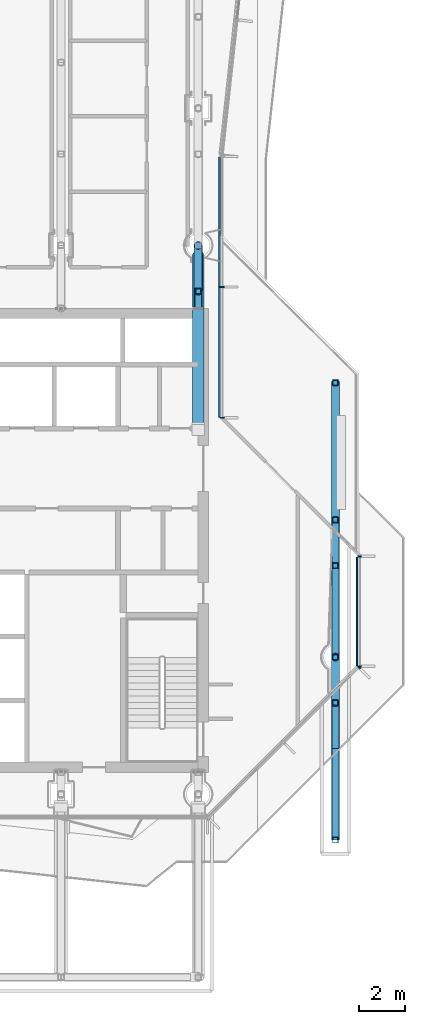
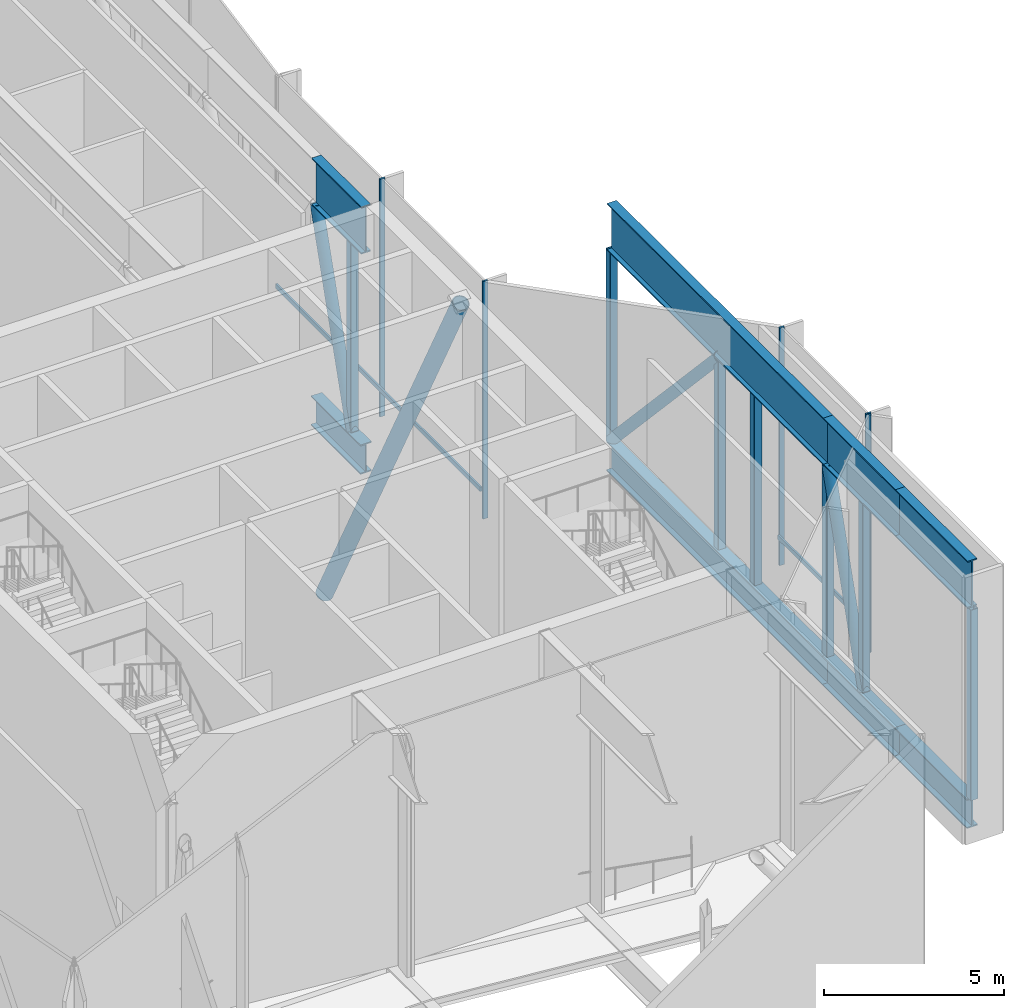
# One storey, part 4 of 21: 26 members, 3 elements without a shape of their own.
"""IFC4 building model written with IfcOpenShell, lengths in metres."""

from ifc_helpers import new_model, si_unit, direction, frame, origin, origin_2d, place, context, subcontext, project, spatial, rectangle, hollow_rectangle, hollow_circle, i_section, extrude, material, layer, layer_set, material_profile, profile_set, type_object, element, aggregate, save


model = new_model("IFC4")

# Units and contexts
model_context = context("Model", 3, precision=1e-05, world=origin(), true_north=direction((0.0, 1.0)))
body_context = subcontext(model_context, "Body", "Model", "MODEL_VIEW")
ifc_project = project(units=[si_unit("LENGTHUNIT", "METRE"), si_unit("AREAUNIT", "SQUARE_METRE"), si_unit("VOLUMEUNIT", "CUBIC_METRE"), si_unit("PLANEANGLEUNIT", "RADIAN"), si_unit("MASSUNIT", "GRAM", prefix="KILO")], contexts=[model_context])

# Site, building, storey
site_placement = place(None, origin())
site = spatial("IfcSite", under=ifc_project, at=site_placement, CompositionType="ELEMENT")
building_placement = place(site_placement, origin())
building = spatial("IfcBuilding", under=site, at=building_placement, Name="Welwitschia Terrace Campus", CompositionType="ELEMENT")
storey_placement = place(building_placement, frame((0.0, 0.0, 255.800048828125)))
storey = spatial("IfcBuildingStorey", under=building, at=storey_placement, Name="L57", CompositionType="ELEMENT", Elevation=255.800048828125)

# Member
ifc_material_1 = material(Name="Steel S355", Category="steel")
ifc_material_profile_1 = material_profile(ifc_material_1, hollow_circle(Radius=0.25390625, WallThickness=0.030029296875, at=origin_2d()))
ifc_profile_set_1 = profile_set([ifc_material_profile_1], Name="Steel S355")
member_type_1 = type_object("IfcMemberType", Name="Column brace C4 CHS 508x30", PredefinedType="BRACE", material=ifc_profile_set_1)
member_1_placement = place(storey_placement, frame((24.0, 27.550048828125, -6.47509765625), z_axis=(0.0, -0.464276245094, 0.885690447189), x_axis=(1.0, 0.0, 0.0)))
element("IfcMember", 1, at=member_1_placement, inside=storey, type_object=member_type_1, Name="Tip brace", PredefinedType="BRACE", context=body_context, shape_type="SweptSolid", body=[
    extrude(hollow_circle(Radius=0.25390625, WallThickness=0.030029296875, at=origin_2d()), origin(), (0.0, 0.0, 1.0), 16.261962890625),
])

# Curtain wall, member
ifc_material_2 = material(Name="Bronze anodised aluminium", Category="aluminium")
ifc_layer = layer(ifc_material_2, 0.159912109375)
ifc_layer_set = layer_set([ifc_layer], Name="Bronze anodised aluminium")
curtain_wall_type = type_object("IfcCurtainWallType", Name="Curtain wall CW3 commons 6000", PredefinedType="NOTDEFINED", material=ifc_layer_set)
curtain_wall_1_placement = place(storey_placement, origin())
curtain_wall_1 = element("IfcCurtainWall", 2, at=curtain_wall_1_placement, inside=storey, type_object=curtain_wall_type, Name="CW L57.0.0", PredefinedType="NOTDEFINED")
ifc_material_3 = material(Name="Bronze anodised aluminium", Category="aluminium")
ifc_material_profile_2 = material_profile(ifc_material_3, rectangle(XDim=0.159912109375, YDim=0.06005859375, at=origin_2d()))
ifc_profile_set_2 = profile_set([ifc_material_profile_2], Name="Bronze anodised aluminium")
member_type_2 = type_object("IfcMemberType", Name="Mullion 60x160", PredefinedType="MULLION", material=ifc_profile_set_2)
member_2_placement = place(storey_placement, frame((31.02880859375, 9.5439453125, 0.0), z_axis=(0.0, 0.0, 1.0), x_axis=(-0.707106781187, 0.707106781187, 0.0)))
member_2 = element("IfcMember", 3, at=member_2_placement, type_object=member_type_2, Name="Mullion L57.0.0.2", PredefinedType="MULLION", context=body_context, shape_type="SweptSolid", body=[
    extrude(rectangle(XDim=0.159912109375, YDim=0.06005859375, at=origin_2d()), origin(), (0.0, 0.0, 1.0), 8.050048828125),
])
aggregate(curtain_wall_1, [member_2])

# Curtain wall, members
curtain_wall_2_placement = place(storey_placement, origin())
curtain_wall_2 = element("IfcCurtainWall", 4, at=curtain_wall_2_placement, inside=storey, type_object=curtain_wall_type, Name="CW L57.1.0", PredefinedType="NOTDEFINED")
member_3_placement = place(storey_placement, frame((31.050048828125, 9.594970703125, 0.0), z_axis=(0.0, 0.0, 1.0), x_axis=(-1.0, 0.0, 0.0)))
member_3 = element("IfcMember", 5, at=member_3_placement, type_object=member_type_2, Name="Mullion L57.1.0.0", PredefinedType="MULLION", context=body_context, shape_type="SweptSolid", body=[
    extrude(rectangle(XDim=0.159912109375, YDim=0.06005859375, at=origin_2d()), origin(), (0.0, 0.0, 1.0), 8.050048828125),
])
member_4_placement = place(storey_placement, frame((31.050048828125, 14.405029296875, 0.0), z_axis=(0.0, 0.0, 1.0), x_axis=(-1.0, 0.0, 0.0)))
member_4 = element("IfcMember", 6, at=member_4_placement, type_object=member_type_2, Name="Mullion L57.1.0.1", PredefinedType="MULLION", context=body_context, shape_type="SweptSolid", body=[
    extrude(rectangle(XDim=0.159912109375, YDim=0.06005859375, at=origin_2d()), origin(), (0.0, 0.0, 1.0), 8.050048828125),
])

curtain_wall_3_placement = place(storey_placement, origin())
curtain_wall_3 = element("IfcCurtainWall", 7, at=curtain_wall_3_placement, inside=storey, type_object=curtain_wall_type, Name="CW L57.3.0", PredefinedType="NOTDEFINED")
member_5_placement = place(storey_placement, frame((25.050048828125, 20.46484375, 0.0), z_axis=(0.0, 0.0, 1.0), x_axis=(-1.0, 0.0, 0.0)))
member_5 = element("IfcMember", 8, at=member_5_placement, type_object=member_type_2, Name="Mullion L57.3.0.0", PredefinedType="MULLION", context=body_context, shape_type="SweptSolid", body=[
    extrude(rectangle(XDim=0.159912109375, YDim=0.06005859375, at=origin_2d()), origin(), (0.0, 0.0, 1.0), 8.050048828125),
])
member_6_placement = place(storey_placement, frame((25.050048828125, 26.177978515625, 0.0), z_axis=(0.0, 0.0, 1.0), x_axis=(-1.0, 0.0, 0.0)))
member_6 = element("IfcMember", 9, at=member_6_placement, type_object=member_type_2, Name="Mullion L57.3.0.1", PredefinedType="MULLION", context=body_context, shape_type="SweptSolid", body=[
    extrude(rectangle(XDim=0.159912109375, YDim=0.06005859375, at=origin_2d()), origin(), (0.0, 0.0, 1.0), 8.050048828125),
])

# Members
ifc_material_4 = material(Name="Steel S355", Category="steel")
ifc_material_profile_3 = material_profile(ifc_material_4, i_section(OverallWidth=0.35009765625, OverallDepth=1.0, WebThickness=0.034912109375, FlangeThickness=0.0400390625, at=origin_2d()))
ifc_profile_set_3 = profile_set([ifc_material_profile_3], Name="Steel S355")
member_type_3 = type_object("IfcMemberType", Name="Transfer truss C4 bottom cantilever chord WI 1000x350x35x40", PredefinedType="CHORD", material=ifc_profile_set_3)
for number, where, z_axis, x_axis, name in (
    (10, (30.0, 2.0, -0.5), (0.0, 1.0, 0.0), (-1.0, 0.0, 0.0), "Truss bottom chord"),
    (11, (30.0, 6.0, -0.5), (0.0, 1.0, 0.0), (-1.0, 0.0, 0.0), "Truss bottom chord"),
):
    element("IfcMember", number, at=place(storey_placement, frame(where, z_axis=z_axis, x_axis=x_axis)), inside=storey, type_object=member_type_3, Name=name, PredefinedType="CHORD", context=body_context, shape_type="SweptSolid", body=[
        extrude(i_section(OverallWidth=0.35009765625, OverallDepth=1.0, WebThickness=0.034912109375, FlangeThickness=0.0400390625, at=origin_2d()), origin(), (0.0, 0.0, 1.0), 4.0),
    ])
ifc_material_5 = material(Name="Steel S355", Category="steel")
ifc_material_profile_4 = material_profile(ifc_material_5, i_section(OverallWidth=0.35009765625, OverallDepth=1.0, WebThickness=0.02490234375, FlangeThickness=0.0400390625, at=origin_2d()))
ifc_profile_set_4 = profile_set([ifc_material_profile_4], Name="Steel S355")
member_type_4 = type_object("IfcMemberType", Name="Transfer truss C4 bottom chord WI 1000x350x25x40", PredefinedType="CHORD", material=ifc_profile_set_4)
member_7_placement = place(storey_placement, frame((24.0, 25.25, -0.5), z_axis=(0.0, 1.0, 0.0), x_axis=(-1.0, 0.0, 0.0)))
element("IfcMember", 12, at=member_7_placement, inside=storey, type_object=member_type_4, Name="Truss bottom chord", PredefinedType="CHORD", context=body_context, shape_type="SweptSolid", body=[
    extrude(i_section(OverallWidth=0.35009765625, OverallDepth=1.0, WebThickness=0.02490234375, FlangeThickness=0.0400390625, at=origin_2d()), origin(), (0.0, 0.0, 1.0), 2.75),
])
member_8_placement = place(storey_placement, frame((30.0, 10.0, -0.5), z_axis=(0.0, 1.0, 0.0), x_axis=(-1.0, 0.0, 0.0)))
element("IfcMember", 13, at=member_8_placement, inside=storey, type_object=member_type_4, Name="Truss bottom chord", PredefinedType="CHORD", context=body_context, shape_type="SweptSolid", body=[
    extrude(i_section(OverallWidth=0.35009765625, OverallDepth=1.0, WebThickness=0.02490234375, FlangeThickness=0.0400390625, at=origin_2d()), origin(), (0.0, 0.0, 1.0), 12.0),
])
ifc_material_6 = material(Name="Steel S355", Category="steel")
ifc_material_profile_5 = material_profile(ifc_material_6, hollow_circle(Radius=0.177734375, WallThickness=0.01611328125, at=origin_2d()))
ifc_profile_set_5 = profile_set([ifc_material_profile_5], Name="Steel S355")
member_type_5 = type_object("IfcMemberType", Name="Transfer truss C4 diagonal CHS 355.6x16", PredefinedType="BRACE", material=ifc_profile_set_5)
for number, where, z_axis, x_axis, name in (
    (14, (24.0, 26.0, 0.0), (0.0, 0.296168365803, 0.955135749042), (-1.0, 0.0, 0.0), "Truss diagonal"),
    (15, (30.0, 8.0, 0.0), (0.0, 0.296168365803, 0.955135749042), (-1.0, 0.0, 0.0), "Truss diagonal"),
):
    element("IfcMember", number, at=place(storey_placement, frame(where, z_axis=z_axis, x_axis=x_axis)), inside=storey, type_object=member_type_5, Name=name, PredefinedType="BRACE", context=body_context, shape_type="SweptSolid", body=[
        extrude(hollow_circle(Radius=0.177734375, WallThickness=0.01611328125, at=origin_2d()), origin(), (0.0, 0.0, 1.0), 6.7529296875),
    ])
member_9_placement = place(storey_placement, frame((30.0, 22.0, 0.0), z_axis=(0.0, -0.681106706671, 0.732184166811), x_axis=(1.0, 0.0, 0.0)))
element("IfcMember", 16, at=member_9_placement, inside=storey, type_object=member_type_5, Name="Truss diagonal", PredefinedType="BRACE", context=body_context, shape_type="SweptSolid", body=[
    extrude(hollow_circle(Radius=0.177734375, WallThickness=0.01611328125, at=origin_2d()), origin(), (0.0, 0.0, 1.0), 8.80908203125),
])
ifc_material_7 = material(Name="Steel S355", Category="steel")
ifc_material_profile_6 = material_profile(ifc_material_7, hollow_rectangle(XDim=0.25, YDim=0.25, WallThickness=0.013916015625, InnerFilletRadius=0.013916015625, OuterFilletRadius=0.02099609375, at=origin_2d()))
ifc_profile_set_6 = profile_set([ifc_material_profile_6], Name="Steel S355")
member_type_6 = type_object("IfcMemberType", Name="Transfer truss C4 post SHS 250x250x14", PredefinedType="POST", material=ifc_profile_set_6)
for number, where, z_axis, x_axis, name in (
    (17, (24.0, 26.0, 0.0), (0.0, 0.0, 1.0), (1.0, 0.0, 0.0), "Truss post"),
    (18, (30.0, 2.0, 0.0), (0.0, 0.0, 1.0), (1.0, 0.0, 0.0), "Truss post"),
    (19, (30.0, 8.0, 0.0), (0.0, 0.0, 1.0), (1.0, 0.0, 0.0), "Truss post"),
    (20, (30.0, 10.0, 0.0), (0.0, 0.0, 1.0), (1.0, 0.0, 0.0), "Truss post"),
    (21, (30.0, 14.0, 0.0), (0.0, 0.0, 1.0), (1.0, 0.0, 0.0), "Truss post"),
    (22, (30.0, 16.0, 0.0), (0.0, 0.0, 1.0), (1.0, 0.0, 0.0), "Truss post"),
    (23, (30.0, 22.0, 0.0), (0.0, 0.0, 1.0), (1.0, 0.0, 0.0), "Truss post"),
):
    element("IfcMember", number, at=place(storey_placement, frame(where, z_axis=z_axis, x_axis=x_axis)), inside=storey, type_object=member_type_6, Name=name, PredefinedType="POST", context=body_context, shape_type="SweptSolid", body=[
        extrude(hollow_rectangle(XDim=0.25, YDim=0.25, WallThickness=0.013916015625, InnerFilletRadius=0.013916015625, OuterFilletRadius=0.02099609375, at=origin_2d()), origin(), (0.0, 0.0, 1.0), 6.449951171875),
    ])
ifc_material_8 = material(Name="Steel S355", Category="steel")
ifc_material_profile_7 = material_profile(ifc_material_8, i_section(OverallWidth=0.300048828125, OverallDepth=1.60009765625, WebThickness=0.034912109375, FlangeThickness=0.0400390625, at=origin_2d()))
ifc_profile_set_7 = profile_set([ifc_material_profile_7], Name="Steel S355")
member_type_7 = type_object("IfcMemberType", Name="Transfer truss C4 top cantilever chord WI 1600x300x35x40", PredefinedType="CHORD", material=ifc_profile_set_7)
for number, where, z_axis, x_axis, name in (
    (24, (30.0, 2.0, 7.25), (0.0, 1.0, 0.0), (-1.0, 0.0, 0.0), "Truss top chord"),
    (25, (30.0, 6.0, 7.25), (0.0, 1.0, 0.0), (-1.0, 0.0, 0.0), "Truss top chord"),
):
    element("IfcMember", number, at=place(storey_placement, frame(where, z_axis=z_axis, x_axis=x_axis)), inside=storey, type_object=member_type_7, Name=name, PredefinedType="CHORD", context=body_context, shape_type="SweptSolid", body=[
        extrude(i_section(OverallWidth=0.300048828125, OverallDepth=1.60009765625, WebThickness=0.034912109375, FlangeThickness=0.0400390625, at=origin_2d()), origin(), (0.0, 0.0, 1.0), 4.0),
    ])
ifc_material_9 = material(Name="Steel S355", Category="steel")
ifc_material_profile_8 = material_profile(ifc_material_9, i_section(OverallWidth=0.300048828125, OverallDepth=1.60009765625, WebThickness=0.02490234375, FlangeThickness=0.0400390625, at=origin_2d()))
ifc_profile_set_8 = profile_set([ifc_material_profile_8], Name="Steel S355")
member_type_8 = type_object("IfcMemberType", Name="Transfer truss C4 top chord WI 1600x300x25x40", PredefinedType="CHORD", material=ifc_profile_set_8)
member_10_placement = place(storey_placement, frame((24.0, 25.25, 7.25), z_axis=(0.0, 1.0, 0.0), x_axis=(-1.0, 0.0, 0.0)))
element("IfcMember", 26, at=member_10_placement, inside=storey, type_object=member_type_8, Name="Truss top chord", PredefinedType="CHORD", context=body_context, shape_type="SweptSolid", body=[
    extrude(i_section(OverallWidth=0.300048828125, OverallDepth=1.60009765625, WebThickness=0.02490234375, FlangeThickness=0.0400390625, at=origin_2d()), origin(), (0.0, 0.0, 1.0), 2.75),
])
member_11_placement = place(storey_placement, frame((30.0, 10.0, 7.25), z_axis=(0.0, 1.0, 0.0), x_axis=(-1.0, 0.0, 0.0)))
element("IfcMember", 27, at=member_11_placement, inside=storey, type_object=member_type_8, Name="Truss top chord", PredefinedType="CHORD", context=body_context, shape_type="SweptSolid", body=[
    extrude(i_section(OverallWidth=0.300048828125, OverallDepth=1.60009765625, WebThickness=0.02490234375, FlangeThickness=0.0400390625, at=origin_2d()), origin(), (0.0, 0.0, 1.0), 12.0),
])

# Member
ifc_material_10 = material(Name="Bronze anodised aluminium", Category="aluminium")
ifc_material_profile_9 = material_profile(ifc_material_10, rectangle(XDim=0.06005859375, YDim=0.14990234375, at=origin_2d()))
ifc_profile_set_9 = profile_set([ifc_material_profile_9], Name="Bronze anodised aluminium")
member_type_9 = type_object("IfcMemberType", Name="Transom 60x150", PredefinedType="USERDEFINED", material=ifc_profile_set_9)
member_12_placement = place(storey_placement, frame((30.93994140625, 9.625, 1.0), z_axis=(0.0, 1.0, 0.0), x_axis=(-1.0, 0.0, 0.0)))
member_12 = element("IfcMember", 28, at=member_12_placement, type_object=member_type_9, Name="Transom L57.1.0", ObjectType="TRANSOM", PredefinedType="USERDEFINED", context=body_context, shape_type="SweptSolid", body=[
    extrude(rectangle(XDim=0.06005859375, YDim=0.14990234375, at=origin_2d()), origin(), (0.0, 0.0, 1.0), 4.75),
])

aggregate(curtain_wall_2, [member_3, member_4, member_12])

member_13_placement = place(storey_placement, frame((24.93994140625, 20.494873046875, 1.0), z_axis=(0.0, 1.0, 0.0), x_axis=(-1.0, 0.0, 0.0)))
member_13 = element("IfcMember", 29, at=member_13_placement, type_object=member_type_9, Name="Transom L57.3.0", ObjectType="TRANSOM", PredefinedType="USERDEFINED", context=body_context, shape_type="SweptSolid", body=[
    extrude(rectangle(XDim=0.06005859375, YDim=0.14990234375, at=origin_2d()), origin(), (0.0, 0.0, 1.0), 11.3662109375),
])

aggregate(curtain_wall_3, [member_5, member_6, member_13])

save(model, "model.ifc")
